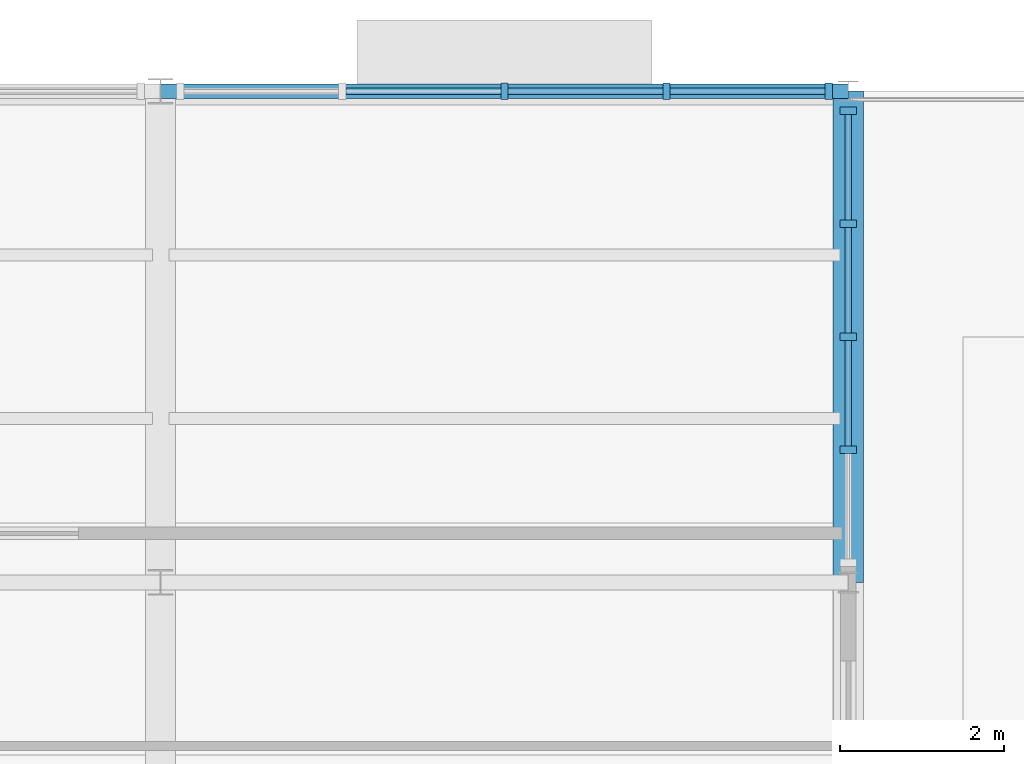
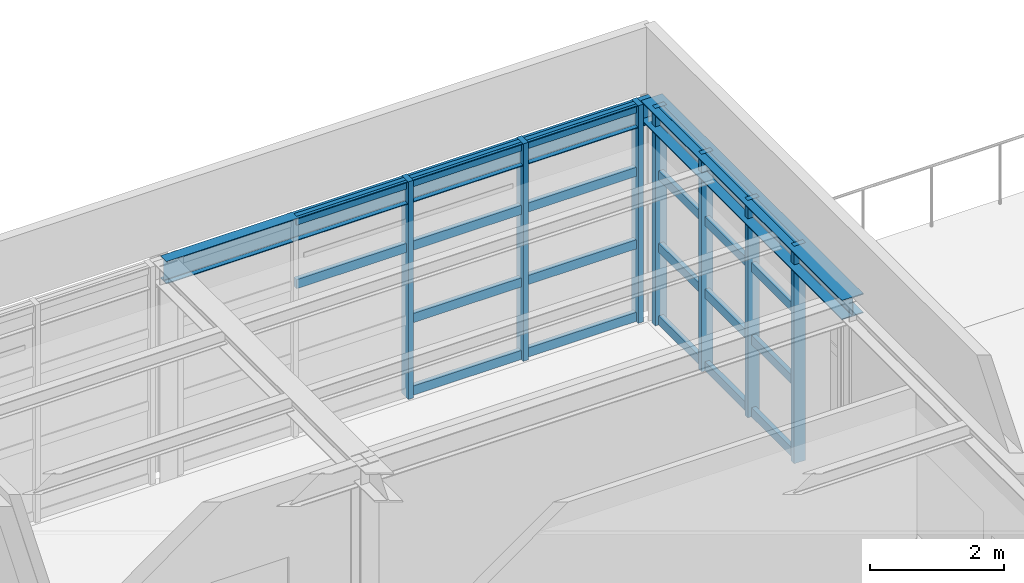
# One storey, part 10 of 18: 29 members, 2 beams, 2 elements without a shape of their own.
"""IFC4 building model written with IfcOpenShell, lengths in metres."""

from ifc_helpers import new_model, si_unit, direction, frame, origin, origin_2d, place, context, subcontext, project, spatial, rectangle, i_section, extrude, material, layer, layer_set, material_profile, profile_set, type_object, element, aggregate, save


model = new_model("IFC4")

# Units and contexts
model_context = context("Model", 3, precision=1e-05, world=origin(), true_north=direction((0.0, 1.0)))
body_context = subcontext(model_context, "Body", "Model", "MODEL_VIEW")
ifc_project = project(units=[si_unit("LENGTHUNIT", "METRE"), si_unit("AREAUNIT", "SQUARE_METRE"), si_unit("VOLUMEUNIT", "CUBIC_METRE"), si_unit("PLANEANGLEUNIT", "RADIAN"), si_unit("MASSUNIT", "GRAM", prefix="KILO")], contexts=[model_context])

# Site, building, storey
site_placement = place(None, origin())
site = spatial("IfcSite", under=ifc_project, at=site_placement, CompositionType="ELEMENT")
building_placement = place(site_placement, origin())
building = spatial("IfcBuilding", under=site, at=building_placement, Name="Sitalva Quay Ferry Terminal", CompositionType="ELEMENT")
storey_placement = place(building_placement, frame((0.0, 0.0, 18.60009765625)))
storey = spatial("IfcBuildingStorey", under=building, at=storey_placement, Name="L05", CompositionType="ELEMENT", Elevation=18.60009765625)

# Beams
ifc_material_1 = material(Name="Structural Steel S355JR", Category="steel")
ifc_material_profile_1 = material_profile(ifc_material_1, i_section(OverallWidth=0.368896484375, OverallDepth=0.35595703125, WebThickness=0.01123046875, FlangeThickness=0.01806640625, FilletRadius=0.014892578125, at=origin_2d()), Name="W360x134")
ifc_profile_set_1 = profile_set([ifc_material_profile_1], Name="Structural Steel S355JR")
beam_type_1 = type_object("IfcBeamType", Name="Beam_W360x134", PredefinedType="BEAM", material=ifc_profile_set_1)
beam_1_placement = place(storey_placement, frame((117.60009765625, 100.0, 3.781982421875), z_axis=(0.0, 1.0, 0.0), x_axis=(-1.0, 0.0, 0.0)))
element("IfcBeam", 1, at=beam_1_placement, inside=storey, type_object=beam_type_1, Name="L05 Primary Y girder 1437", PredefinedType="BEAM", context=body_context, shape_type="SweptSolid", body=[
    extrude(i_section(OverallWidth=0.368896484375, OverallDepth=0.35595703125, WebThickness=0.01123046875, FlangeThickness=0.01806640625, FilletRadius=0.014892578125, at=origin_2d()), origin(), (0.0, 0.0, 1.0), 6.0),
])
ifc_material_2 = material(Name="Structural Steel S355JR", Category="steel")
ifc_material_profile_2 = material_profile(ifc_material_2, i_section(OverallWidth=0.178955078125, OverallDepth=0.409912109375, WebThickness=0.0087890625, FlangeThickness=0.014404296875, FilletRadius=0.012939453125, at=origin_2d()), Name="W410x67")
ifc_profile_set_2 = profile_set([ifc_material_profile_2], Name="Structural Steel S355JR")
beam_type_2 = type_object("IfcBeamType", Name="Beam_W410x67", PredefinedType="BEAM", material=ifc_profile_set_2)
beam_2_placement = place(storey_placement, frame((109.199951171875, 106.0, 3.7548828125), z_axis=(1.0, 0.0, 0.0), x_axis=(0.0, 1.0, 0.0)))
element("IfcBeam", 2, at=beam_2_placement, inside=storey, type_object=beam_type_2, Name="L05 Primary X girder 1419", PredefinedType="BEAM", context=body_context, shape_type="SweptSolid", body=[
    extrude(i_section(OverallWidth=0.178955078125, OverallDepth=0.409912109375, WebThickness=0.0087890625, FlangeThickness=0.014404296875, FilletRadius=0.012939453125, at=origin_2d()), origin(), (0.0, 0.0, 1.0), 8.400146484375),
])

# Curtain wall, members
ifc_material_3 = material(Name="Anodised Aluminium & Low-E Glazing", Category="aluminium")
ifc_layer = layer(ifc_material_3, 0.159912109375)
ifc_layer_set = layer_set([ifc_layer], Name="Anodised Aluminium & Low-E Glazing")
curtain_wall_type = type_object("IfcCurtainWallType", Name="CW_VTS_Sloped", PredefinedType="USERDEFINED", material=ifc_layer_set)
curtain_wall_1_placement = place(storey_placement, origin())
curtain_wall_1 = element("IfcCurtainWall", 3, at=curtain_wall_1_placement, inside=storey, type_object=curtain_wall_type, Name="L05 VTS east panoramic glazing (CW-L05-153)", ObjectType="CURTAIN_WALL", PredefinedType="USERDEFINED")
ifc_material_4 = material(Name="Anodised Aluminium 6063-T6", Category="aluminium")
ifc_material_profile_3 = material_profile(ifc_material_4, rectangle(XDim=0.090087890625, YDim=0.199951171875, at=origin_2d()), Name="ALU90x200")
ifc_profile_set_3 = profile_set([ifc_material_profile_3], Name="Anodised Aluminium 6063-T6")
member_type_1 = type_object("IfcMemberType", Name="Mullion_Alu_90x200", PredefinedType="MULLION", material=ifc_profile_set_3)
member_1_placement = place(storey_placement, frame((117.60009765625, 101.6201171875, 0.0), z_axis=(0.0, 0.0, 1.0), x_axis=(0.0, 1.0, 0.0)))
member_1 = element("IfcMember", 4, at=member_1_placement, type_object=member_type_1, Name="CW-L05-153-M1", PredefinedType="MULLION", context=body_context, shape_type="SweptSolid", body=[
    extrude(rectangle(XDim=0.090087890625, YDim=0.199951171875, at=origin_2d()), origin(), (0.0, 0.0, 1.0), 3.9599609375),
])
member_2_placement = place(storey_placement, frame((117.60009765625, 103.0, 0.0), z_axis=(0.0, 0.0, 1.0), x_axis=(0.0, 1.0, 0.0)))
member_2 = element("IfcMember", 5, at=member_2_placement, type_object=member_type_1, Name="CW-L05-153-M2", PredefinedType="MULLION", context=body_context, shape_type="SweptSolid", body=[
    extrude(rectangle(XDim=0.090087890625, YDim=0.199951171875, at=origin_2d()), origin(), (0.0, 0.0, 1.0), 3.9599609375),
])
member_3_placement = place(storey_placement, frame((117.60009765625, 104.3798828125, 0.0), z_axis=(0.0, 0.0, 1.0), x_axis=(0.0, 1.0, 0.0)))
member_3 = element("IfcMember", 6, at=member_3_placement, type_object=member_type_1, Name="CW-L05-153-M3", PredefinedType="MULLION", context=body_context, shape_type="SweptSolid", body=[
    extrude(rectangle(XDim=0.090087890625, YDim=0.199951171875, at=origin_2d()), origin(), (0.0, 0.0, 1.0), 3.9599609375),
])
member_4_placement = place(storey_placement, frame((117.60009765625, 105.760009765625, 0.0), z_axis=(0.0, 0.0, 1.0), x_axis=(0.0, 1.0, 0.0)))
member_4 = element("IfcMember", 7, at=member_4_placement, type_object=member_type_1, Name="CW-L05-153-M4", PredefinedType="MULLION", context=body_context, shape_type="SweptSolid", body=[
    extrude(rectangle(XDim=0.090087890625, YDim=0.199951171875, at=origin_2d()), origin(), (0.0, 0.0, 1.0), 3.9599609375),
])

curtain_wall_2_placement = place(storey_placement, origin())
curtain_wall_2 = element("IfcCurtainWall", 8, at=curtain_wall_2_placement, inside=storey, type_object=curtain_wall_type, Name="L05 VTS bridge north glazing (CW-L05-163)", ObjectType="CURTAIN_WALL", PredefinedType="USERDEFINED")
member_5_placement = place(storey_placement, frame((113.39990234375, 106.0, 0.0), z_axis=(0.0, 0.0, 1.0), x_axis=(1.0, 0.0, 0.0)))
member_5 = element("IfcMember", 9, at=member_5_placement, type_object=member_type_1, Name="CW-L05-163-M2", PredefinedType="MULLION", context=body_context, shape_type="SweptSolid", body=[
    extrude(rectangle(XDim=0.090087890625, YDim=0.199951171875, at=origin_2d()), origin(), (0.0, 0.0, 1.0), 3.9599609375),
])
member_6_placement = place(storey_placement, frame((115.3798828125, 106.0, 0.0), z_axis=(0.0, 0.0, 1.0), x_axis=(1.0, 0.0, 0.0)))
member_6 = element("IfcMember", 10, at=member_6_placement, type_object=member_type_1, Name="CW-L05-163-M3", PredefinedType="MULLION", context=body_context, shape_type="SweptSolid", body=[
    extrude(rectangle(XDim=0.090087890625, YDim=0.199951171875, at=origin_2d()), origin(), (0.0, 0.0, 1.0), 3.9599609375),
])
member_7_placement = place(storey_placement, frame((117.360107421875, 106.0, 0.0), z_axis=(0.0, 0.0, 1.0), x_axis=(1.0, 0.0, 0.0)))
member_7 = element("IfcMember", 11, at=member_7_placement, type_object=member_type_1, Name="CW-L05-163-M4", PredefinedType="MULLION", context=body_context, shape_type="SweptSolid", body=[
    extrude(rectangle(XDim=0.090087890625, YDim=0.199951171875, at=origin_2d()), origin(), (0.0, 0.0, 1.0), 3.9599609375),
])

# Member
ifc_material_5 = material(Name="Anodised Aluminium 6063-T6", Category="aluminium")
ifc_material_profile_4 = material_profile(ifc_material_5, rectangle(XDim=0.080078125, YDim=0.1650390625, at=origin_2d()), Name="ALU80x165")
ifc_profile_set_4 = profile_set([ifc_material_profile_4], Name="Anodised Aluminium 6063-T6")
member_type_2 = type_object("IfcMemberType", Name="Transom_Alu_80x165", PredefinedType="MULLION", material=ifc_profile_set_4)
member_8_placement = place(storey_placement, frame((117.60009765625, 101.6650390625, 0.08251953125), z_axis=(0.0, 1.0, 0.0), x_axis=(-1.0, 0.0, 0.0)))
member_8 = element("IfcMember", 12, at=member_8_placement, type_object=member_type_2, Name="CW-L05-153-T1-0", ObjectType="TRANSOM", PredefinedType="USERDEFINED", context=body_context, shape_type="SweptSolid", body=[
    extrude(rectangle(XDim=0.080078125, YDim=0.1650390625, at=origin_2d()), origin(), (0.0, 0.0, 1.0), 1.2900390625),
])

member_9_placement = place(storey_placement, frame((117.60009765625, 101.6650390625, 1.40234375), z_axis=(0.0, 1.0, 0.0), x_axis=(-1.0, 0.0, 0.0)))
member_9 = element("IfcMember", 13, at=member_9_placement, type_object=member_type_2, Name="CW-L05-153-T1-1", ObjectType="TRANSOM", PredefinedType="USERDEFINED", context=body_context, shape_type="SweptSolid", body=[
    extrude(rectangle(XDim=0.080078125, YDim=0.1650390625, at=origin_2d()), origin(), (0.0, 0.0, 1.0), 1.2900390625),
])

member_10_placement = place(storey_placement, frame((117.60009765625, 101.6650390625, 2.722412109375), z_axis=(0.0, 1.0, 0.0), x_axis=(-1.0, 0.0, 0.0)))
member_10 = element("IfcMember", 14, at=member_10_placement, type_object=member_type_2, Name="CW-L05-153-T1-2", ObjectType="TRANSOM", PredefinedType="USERDEFINED", context=body_context, shape_type="SweptSolid", body=[
    extrude(rectangle(XDim=0.080078125, YDim=0.1650390625, at=origin_2d()), origin(), (0.0, 0.0, 1.0), 1.2900390625),
])

member_11_placement = place(storey_placement, frame((117.60009765625, 101.6650390625, 3.87744140625), z_axis=(0.0, 1.0, 0.0), x_axis=(-1.0, 0.0, 0.0)))
member_11 = element("IfcMember", 15, at=member_11_placement, type_object=member_type_2, Name="CW-L05-153-T1-3", ObjectType="TRANSOM", PredefinedType="USERDEFINED", context=body_context, shape_type="SweptSolid", body=[
    extrude(rectangle(XDim=0.080078125, YDim=0.1650390625, at=origin_2d()), origin(), (0.0, 0.0, 1.0), 1.2900390625),
])

member_12_placement = place(storey_placement, frame((117.60009765625, 103.044921875, 0.08251953125), z_axis=(0.0, 1.0, 0.0), x_axis=(-1.0, 0.0, 0.0)))
member_12 = element("IfcMember", 16, at=member_12_placement, type_object=member_type_2, Name="CW-L05-153-T2-0", ObjectType="TRANSOM", PredefinedType="USERDEFINED", context=body_context, shape_type="SweptSolid", body=[
    extrude(rectangle(XDim=0.080078125, YDim=0.1650390625, at=origin_2d()), origin(), (0.0, 0.0, 1.0), 1.2900390625),
])

member_13_placement = place(storey_placement, frame((117.60009765625, 103.044921875, 1.40234375), z_axis=(0.0, 1.0, 0.0), x_axis=(-1.0, 0.0, 0.0)))
member_13 = element("IfcMember", 17, at=member_13_placement, type_object=member_type_2, Name="CW-L05-153-T2-1", ObjectType="TRANSOM", PredefinedType="USERDEFINED", context=body_context, shape_type="SweptSolid", body=[
    extrude(rectangle(XDim=0.080078125, YDim=0.1650390625, at=origin_2d()), origin(), (0.0, 0.0, 1.0), 1.2900390625),
])

member_14_placement = place(storey_placement, frame((117.60009765625, 103.044921875, 2.722412109375), z_axis=(0.0, 1.0, 0.0), x_axis=(-1.0, 0.0, 0.0)))
member_14 = element("IfcMember", 18, at=member_14_placement, type_object=member_type_2, Name="CW-L05-153-T2-2", ObjectType="TRANSOM", PredefinedType="USERDEFINED", context=body_context, shape_type="SweptSolid", body=[
    extrude(rectangle(XDim=0.080078125, YDim=0.1650390625, at=origin_2d()), origin(), (0.0, 0.0, 1.0), 1.2900390625),
])

member_15_placement = place(storey_placement, frame((117.60009765625, 103.044921875, 3.87744140625), z_axis=(0.0, 1.0, 0.0), x_axis=(-1.0, 0.0, 0.0)))
member_15 = element("IfcMember", 19, at=member_15_placement, type_object=member_type_2, Name="CW-L05-153-T2-3", ObjectType="TRANSOM", PredefinedType="USERDEFINED", context=body_context, shape_type="SweptSolid", body=[
    extrude(rectangle(XDim=0.080078125, YDim=0.1650390625, at=origin_2d()), origin(), (0.0, 0.0, 1.0), 1.2900390625),
])

member_16_placement = place(storey_placement, frame((117.60009765625, 104.425048828125, 0.08251953125), z_axis=(0.0, 1.0, 0.0), x_axis=(-1.0, 0.0, 0.0)))
member_16 = element("IfcMember", 20, at=member_16_placement, type_object=member_type_2, Name="CW-L05-153-T3-0", ObjectType="TRANSOM", PredefinedType="USERDEFINED", context=body_context, shape_type="SweptSolid", body=[
    extrude(rectangle(XDim=0.080078125, YDim=0.1650390625, at=origin_2d()), origin(), (0.0, 0.0, 1.0), 1.2900390625),
])

member_17_placement = place(storey_placement, frame((117.60009765625, 104.425048828125, 1.40234375), z_axis=(0.0, 1.0, 0.0), x_axis=(-1.0, 0.0, 0.0)))
member_17 = element("IfcMember", 21, at=member_17_placement, type_object=member_type_2, Name="CW-L05-153-T3-1", ObjectType="TRANSOM", PredefinedType="USERDEFINED", context=body_context, shape_type="SweptSolid", body=[
    extrude(rectangle(XDim=0.080078125, YDim=0.1650390625, at=origin_2d()), origin(), (0.0, 0.0, 1.0), 1.2900390625),
])

member_18_placement = place(storey_placement, frame((117.60009765625, 104.425048828125, 2.722412109375), z_axis=(0.0, 1.0, 0.0), x_axis=(-1.0, 0.0, 0.0)))
member_18 = element("IfcMember", 22, at=member_18_placement, type_object=member_type_2, Name="CW-L05-153-T3-2", ObjectType="TRANSOM", PredefinedType="USERDEFINED", context=body_context, shape_type="SweptSolid", body=[
    extrude(rectangle(XDim=0.080078125, YDim=0.1650390625, at=origin_2d()), origin(), (0.0, 0.0, 1.0), 1.2900390625),
])

member_19_placement = place(storey_placement, frame((117.60009765625, 104.425048828125, 3.87744140625), z_axis=(0.0, 1.0, 0.0), x_axis=(-1.0, 0.0, 0.0)))
member_19 = element("IfcMember", 23, at=member_19_placement, type_object=member_type_2, Name="CW-L05-153-T3-3", ObjectType="TRANSOM", PredefinedType="USERDEFINED", context=body_context, shape_type="SweptSolid", body=[
    extrude(rectangle(XDim=0.080078125, YDim=0.1650390625, at=origin_2d()), origin(), (0.0, 0.0, 1.0), 1.2900390625),
])

aggregate(curtain_wall_1, [member_1, member_2, member_3, member_4, member_8, member_9, member_10, member_11, member_12, member_13, member_14, member_15, member_16, member_17, member_18, member_19])

member_20_placement = place(storey_placement, frame((111.465087890625, 106.0, 2.722412109375), z_axis=(1.0, 0.0, 0.0), x_axis=(0.0, 1.0, 0.0)))
member_20 = element("IfcMember", 24, at=member_20_placement, type_object=member_type_2, Name="CW-L05-163-T1-2", ObjectType="TRANSOM", PredefinedType="USERDEFINED", context=body_context, shape_type="SweptSolid", body=[
    extrude(rectangle(XDim=0.080078125, YDim=0.1650390625, at=origin_2d()), origin(), (0.0, 0.0, 1.0), 1.889892578125),
])

member_21_placement = place(storey_placement, frame((111.465087890625, 106.0, 3.87744140625), z_axis=(1.0, 0.0, 0.0), x_axis=(0.0, 1.0, 0.0)))
member_21 = element("IfcMember", 25, at=member_21_placement, type_object=member_type_2, Name="CW-L05-163-T1-3", ObjectType="TRANSOM", PredefinedType="USERDEFINED", context=body_context, shape_type="SweptSolid", body=[
    extrude(rectangle(XDim=0.080078125, YDim=0.1650390625, at=origin_2d()), origin(), (0.0, 0.0, 1.0), 1.889892578125),
])

member_22_placement = place(storey_placement, frame((113.445068359375, 106.0, 0.08251953125), z_axis=(1.0, 0.0, 0.0), x_axis=(0.0, 1.0, 0.0)))
member_22 = element("IfcMember", 26, at=member_22_placement, type_object=member_type_2, Name="CW-L05-163-T2-0", ObjectType="TRANSOM", PredefinedType="USERDEFINED", context=body_context, shape_type="SweptSolid", body=[
    extrude(rectangle(XDim=0.080078125, YDim=0.1650390625, at=origin_2d()), origin(), (0.0, 0.0, 1.0), 1.889892578125),
])

member_23_placement = place(storey_placement, frame((113.445068359375, 106.0, 1.40234375), z_axis=(1.0, 0.0, 0.0), x_axis=(0.0, 1.0, 0.0)))
member_23 = element("IfcMember", 27, at=member_23_placement, type_object=member_type_2, Name="CW-L05-163-T2-1", ObjectType="TRANSOM", PredefinedType="USERDEFINED", context=body_context, shape_type="SweptSolid", body=[
    extrude(rectangle(XDim=0.080078125, YDim=0.1650390625, at=origin_2d()), origin(), (0.0, 0.0, 1.0), 1.889892578125),
])

member_24_placement = place(storey_placement, frame((113.445068359375, 106.0, 2.722412109375), z_axis=(1.0, 0.0, 0.0), x_axis=(0.0, 1.0, 0.0)))
member_24 = element("IfcMember", 28, at=member_24_placement, type_object=member_type_2, Name="CW-L05-163-T2-2", ObjectType="TRANSOM", PredefinedType="USERDEFINED", context=body_context, shape_type="SweptSolid", body=[
    extrude(rectangle(XDim=0.080078125, YDim=0.1650390625, at=origin_2d()), origin(), (0.0, 0.0, 1.0), 1.889892578125),
])

member_25_placement = place(storey_placement, frame((113.445068359375, 106.0, 3.87744140625), z_axis=(1.0, 0.0, 0.0), x_axis=(0.0, 1.0, 0.0)))
member_25 = element("IfcMember", 29, at=member_25_placement, type_object=member_type_2, Name="CW-L05-163-T2-3", ObjectType="TRANSOM", PredefinedType="USERDEFINED", context=body_context, shape_type="SweptSolid", body=[
    extrude(rectangle(XDim=0.080078125, YDim=0.1650390625, at=origin_2d()), origin(), (0.0, 0.0, 1.0), 1.889892578125),
])

member_26_placement = place(storey_placement, frame((115.425048828125, 106.0, 0.08251953125), z_axis=(1.0, 0.0, 0.0), x_axis=(0.0, 1.0, 0.0)))
member_26 = element("IfcMember", 30, at=member_26_placement, type_object=member_type_2, Name="CW-L05-163-T3-0", ObjectType="TRANSOM", PredefinedType="USERDEFINED", context=body_context, shape_type="SweptSolid", body=[
    extrude(rectangle(XDim=0.080078125, YDim=0.1650390625, at=origin_2d()), origin(), (0.0, 0.0, 1.0), 1.889892578125),
])

member_27_placement = place(storey_placement, frame((115.425048828125, 106.0, 1.40234375), z_axis=(1.0, 0.0, 0.0), x_axis=(0.0, 1.0, 0.0)))
member_27 = element("IfcMember", 31, at=member_27_placement, type_object=member_type_2, Name="CW-L05-163-T3-1", ObjectType="TRANSOM", PredefinedType="USERDEFINED", context=body_context, shape_type="SweptSolid", body=[
    extrude(rectangle(XDim=0.080078125, YDim=0.1650390625, at=origin_2d()), origin(), (0.0, 0.0, 1.0), 1.889892578125),
])

member_28_placement = place(storey_placement, frame((115.425048828125, 106.0, 2.722412109375), z_axis=(1.0, 0.0, 0.0), x_axis=(0.0, 1.0, 0.0)))
member_28 = element("IfcMember", 32, at=member_28_placement, type_object=member_type_2, Name="CW-L05-163-T3-2", ObjectType="TRANSOM", PredefinedType="USERDEFINED", context=body_context, shape_type="SweptSolid", body=[
    extrude(rectangle(XDim=0.080078125, YDim=0.1650390625, at=origin_2d()), origin(), (0.0, 0.0, 1.0), 1.889892578125),
])

member_29_placement = place(storey_placement, frame((115.425048828125, 106.0, 3.87744140625), z_axis=(1.0, 0.0, 0.0), x_axis=(0.0, 1.0, 0.0)))
member_29 = element("IfcMember", 33, at=member_29_placement, type_object=member_type_2, Name="CW-L05-163-T3-3", ObjectType="TRANSOM", PredefinedType="USERDEFINED", context=body_context, shape_type="SweptSolid", body=[
    extrude(rectangle(XDim=0.080078125, YDim=0.1650390625, at=origin_2d()), origin(), (0.0, 0.0, 1.0), 1.889892578125),
])

aggregate(curtain_wall_2, [member_5, member_6, member_7, member_20, member_21, member_22, member_23, member_24, member_25, member_26, member_27, member_28, member_29])

save(model, "model.ifc")
